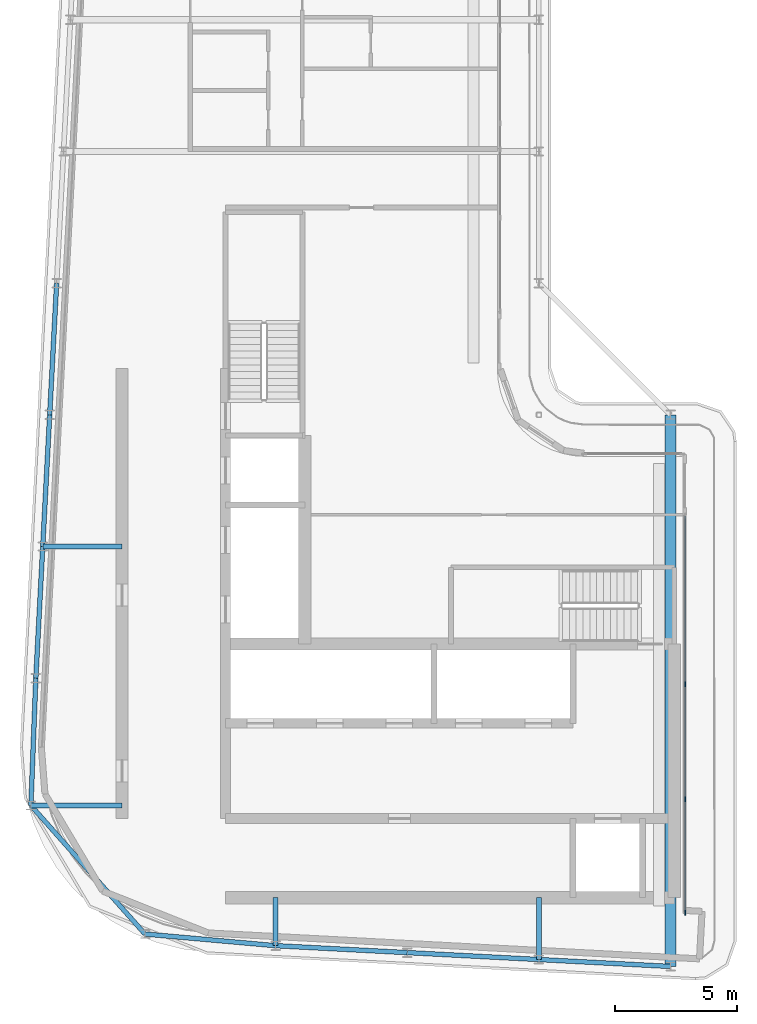
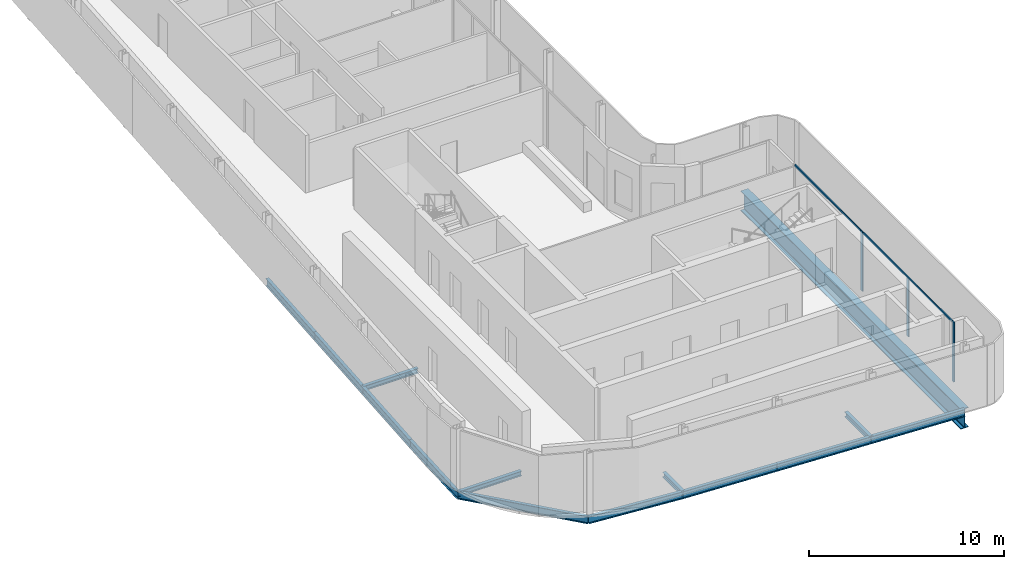
# One storey, part 4 of 18: 14 beams, 5 members, 2 elements without a shape of their own.
"""IFC4 building model written with IfcOpenShell, lengths in metres."""

import ifcopenshell
import ifcopenshell.guid

model = None  # the IFC model being written
_history = None  # IfcOwnerHistory: only IFC2X3 demands one
_inside = {}  # id of a spatial element -> (the spatial element, [elements in it])
_under = {}  # id of a project, library or spatial element -> (it, [spatial elements below it])
_declared = {}  # id of a project -> (the project, [libraries it declares])
_typed = {}  # id of a type object -> (the type object, [elements of that type])
_made_of = {}  # id of a material, layer set ... -> (it, [elements and type objects made of it])


def new_model(schema):
    """Start an empty IFC model of exactly this schema.

    Asked for "IFC4X3", IfcOpenShell would pick the latest addendum, in which some entities
    have other attributes; the version numbers below select the first issue.
    IFC2X3 requires an IfcOwnerHistory on every rooted entity: one is made here for all.
    """
    global model, _history
    if schema == "IFC4X3":
        model = ifcopenshell.file(schema_version=(4, 3, 0, 0))
    else:
        model = ifcopenshell.file(schema=schema)
    _inside.clear()
    _under.clear()
    _declared.clear()
    _typed.clear()
    _made_of.clear()
    _history = None
    if model.schema == "IFC2X3":
        org = make("IfcOrganization", Name="unknown")
        user = make(
            "IfcPersonAndOrganization",
            ThePerson=make("IfcPerson", FamilyName="unknown"),
            TheOrganization=org,
        )
        app = make(
            "IfcApplication",
            ApplicationDeveloper=org,
            Version="unknown",
            ApplicationFullName="unknown",
            ApplicationIdentifier="unknown",
        )
        _history = make(
            "IfcOwnerHistory",
            OwningUser=user,
            OwningApplication=app,
            ChangeAction="ADDED",
            CreationDate=0,
        )
    return model


def make(cls, **values):
    """One entity of the class cls with the attributes given. An attribute that is None is left unset."""
    return model.create_entity(
        cls, **{name: value for name, value in values.items() if value is not None}
    )


def rooted(cls, **values):
    """An entity with a GlobalId (a new one), such as an element, a storey or a relation."""
    return make(cls, GlobalId=ifcopenshell.guid.new(), OwnerHistory=_history, **values)


def si_unit(unit_type, name, prefix=None):
    """IfcSIUnit, for example si_unit("LENGTHUNIT", "METRE", prefix="MILLI")."""
    return make("IfcSIUnit", UnitType=unit_type, Prefix=prefix, Name=name)


def assignment(units):
    """IfcUnitAssignment: the units of a project."""
    return None if units is None else make("IfcUnitAssignment", Units=units)


def point(xyz):
    """IfcCartesianPoint."""
    return None if xyz is None else make("IfcCartesianPoint", Coordinates=xyz)


def direction(xyz):
    """IfcDirection."""
    return None if xyz is None else make("IfcDirection", DirectionRatios=xyz)


def frame(location, z_axis=None, x_axis=None):
    """IfcAxis2Placement3D, a coordinate frame: its origin and axes. An axis left out is left unset."""
    return make(
        "IfcAxis2Placement3D",
        Location=point(location),
        Axis=direction(z_axis),
        RefDirection=direction(x_axis),
    )


def frame_2d(location, x_axis=None):
    """IfcAxis2Placement2D, a coordinate frame in the plane: its origin and x axis."""
    return make(
        "IfcAxis2Placement2D", Location=point(location), RefDirection=direction(x_axis)
    )


def origin():
    """The frame at (0, 0, 0) with its axes left unset."""
    return frame((0.0, 0.0, 0.0))


def origin_2d():
    """The frame at (0, 0) in the plane with its x axis left unset."""
    return frame_2d((0.0, 0.0))


def place(relative_to, where):
    """IfcLocalPlacement: puts the frame where relative to a parent placement (None: the world)."""
    return make(
        "IfcLocalPlacement", PlacementRelTo=relative_to, RelativePlacement=where
    )


def context(
    kind, dimensions, precision=None, world=None, true_north=None, identifier=None
):
    """IfcGeometricRepresentationContext, for example the 3D "Model" context."""
    return make(
        "IfcGeometricRepresentationContext",
        ContextIdentifier=identifier,
        ContextType=kind,
        CoordinateSpaceDimension=dimensions,
        Precision=precision,
        WorldCoordinateSystem=world,
        TrueNorth=true_north,
    )


def subcontext(parent, identifier, kind, view, scale=None):
    """IfcGeometricRepresentationSubContext, for example "Body" below "Model"."""
    return make(
        "IfcGeometricRepresentationSubContext",
        ContextIdentifier=identifier,
        ContextType=kind,
        ParentContext=parent,
        TargetScale=scale,
        TargetView=view,
    )


def project(units=None, contexts=None):
    """IfcProject with its units and contexts."""
    return rooted(
        "IfcProject",
        Name="project",
        RepresentationContexts=contexts,
        UnitsInContext=assignment(units),
    )


def spatial(cls, under=None, at=None, **own):
    """A site, building, storey or space (cls), placed at a placement, below another one or the project."""
    s = rooted(cls, ObjectPlacement=at, **own)
    if under is not None:
        _under.setdefault(under.id(), (under, []))[1].append(s)
    return s


def profile(cls, at=None, kind="AREA", **sizes):
    """A parametric profile (cls). Its sizes go by their IFC names, for example OverallWidth=200.0."""
    return make(cls, ProfileType=kind, Position=at, **sizes)


def rectangle(**sizes):
    """IfcRectangleProfileDef."""
    return profile("IfcRectangleProfileDef", **sizes)


def i_section(**sizes):
    """IfcIShapeProfileDef."""
    return profile("IfcIShapeProfileDef", **sizes)


def extrude(swept, where, along, depth):
    """IfcExtrudedAreaSolid: the profile swept, set in the frame where, extruded along a direction by depth."""
    return make(
        "IfcExtrudedAreaSolid",
        SweptArea=swept,
        Position=where,
        ExtrudedDirection=direction(along),
        Depth=depth,
    )


def shape(context_of_items, identifier, shape_type, items):
    """IfcShapeRepresentation: the items that make up one representation, for example the "Body"."""
    return make(
        "IfcShapeRepresentation",
        ContextOfItems=context_of_items,
        RepresentationIdentifier=identifier,
        RepresentationType=shape_type,
        Items=items,
    )


def material(Name=None, Category=None):
    """IfcMaterial."""
    return make("IfcMaterial", Name=Name, Category=Category)


def layer(
    of_material, thickness, ventilated=None, Name=None, Category=None, Priority=None
):
    """IfcMaterialLayer: one layer of a wall or slab, of a material (None: an air gap)."""
    return make(
        "IfcMaterialLayer",
        Material=of_material,
        LayerThickness=thickness,
        IsVentilated=ventilated,
        Name=Name,
        Category=Category,
        Priority=Priority,
    )


def layer_set(layers, Name=None):
    """IfcMaterialLayerSet."""
    return make("IfcMaterialLayerSet", MaterialLayers=layers, LayerSetName=Name)


def material_profile(
    of_material, cross_section, Name=None, Category=None, Priority=None
):
    """IfcMaterialProfile: a cross section and its material."""
    return make(
        "IfcMaterialProfile",
        Name=Name,
        Material=of_material,
        Profile=cross_section,
        Priority=Priority,
        Category=Category,
    )


def profile_set(profiles, Name=None, composite=None):
    """IfcMaterialProfileSet."""
    return make(
        "IfcMaterialProfileSet",
        Name=Name,
        MaterialProfiles=profiles,
        CompositeProfile=composite,
    )


def made_of(thing, what):
    """Note that an element or type object is made of a material, layer set ...; save() writes the relation."""
    if what is not None:
        _made_of.setdefault(what.id(), (what, []))[1].append(thing)
    return thing


def type_object(cls, material=None, **own):
    """A type object (cls), such as IfcWallType, which elements share."""
    return made_of(rooted(cls, **own), material)


def element(
    cls,
    number,
    at=None,
    inside=None,
    cuts=None,
    type_object=None,
    material=None,
    context=None,
    identifier="Body",
    shape_type=None,
    held_by="IfcProductDefinitionShape",
    body=None,
    shapes=None,
    **own,
):
    """One element of the class cls, such as IfcWall. Its Tag is "e" and its number.

    at: its placement. inside: the storey or other place that contains it. cuts: it is an
    opening in that element (IfcRelVoidsElement). A single representation is given by context,
    identifier, shape_type and body (its items); several are given by shapes. held_by: the class
    of the entity that holds the representations. save() writes the other relations.
    """
    e = rooted(cls, Tag="e%d" % number, ObjectPlacement=at, **own)
    if body is not None:
        shapes = [shape(context, identifier, shape_type, body)]
    if shapes is not None:
        e.Representation = make(held_by, Representations=shapes)
    if inside is not None:
        _inside.setdefault(inside.id(), (inside, []))[1].append(e)
    if cuts is not None:
        rooted(
            "IfcRelVoidsElement", RelatingBuildingElement=cuts, RelatedOpeningElement=e
        )
    if type_object is not None:
        _typed.setdefault(type_object.id(), (type_object, []))[1].append(e)
    return made_of(e, material)


def aggregate(whole, parts):
    """IfcRelAggregates: a whole, such as a stair, and the parts it consists of."""
    return rooted("IfcRelAggregates", RelatingObject=whole, RelatedObjects=parts)


def save(model, path):
    """Write the relations noted so far, then the file.

    IfcRelAggregates (storeys below a building ...), IfcRelContainedInSpatialStructure (elements
    in a storey), IfcRelDefinesByType, IfcRelAssociatesMaterial and IfcRelDeclares: one each for
    every whole, place, type object, material and project.
    """
    for whole, parts in _under.values():
        aggregate(whole, parts)
    for where, things in _inside.values():
        rooted(
            "IfcRelContainedInSpatialStructure",
            RelatedElements=things,
            RelatingStructure=where,
        )
    for kind, things in _typed.values():
        rooted("IfcRelDefinesByType", RelatedObjects=things, RelatingType=kind)
    for what, things in _made_of.values():
        rooted("IfcRelAssociatesMaterial", RelatedObjects=things, RelatingMaterial=what)
    for by, libraries in _declared.values():
        rooted("IfcRelDeclares", RelatingContext=by, RelatedDefinitions=libraries)
    model.write(path)


model = new_model("IFC4")

# Units and contexts
model_context = context("Model", 3, precision=1e-05, world=origin(), true_north=direction((0.0, 1.0)))
body_context = subcontext(model_context, "Body", "Model", "MODEL_VIEW")
ifc_project = project(units=[si_unit("LENGTHUNIT", "METRE"), si_unit("AREAUNIT", "SQUARE_METRE"), si_unit("VOLUMEUNIT", "CUBIC_METRE"), si_unit("PLANEANGLEUNIT", "RADIAN"), si_unit("MASSUNIT", "GRAM", prefix="KILO")], contexts=[model_context])

# Site, building, storey
site_placement = place(None, origin())
site = spatial("IfcSite", under=ifc_project, at=site_placement, CompositionType="ELEMENT")
building_placement = place(site_placement, origin())
building = spatial("IfcBuilding", under=site, at=building_placement, Name="Kheshtan School and Residences Tower", CompositionType="ELEMENT")
storey_placement = place(building_placement, frame((0.0, 0.0, 377.300048828125)))
storey = spatial("IfcBuildingStorey", under=building, at=storey_placement, Name="L89", CompositionType="ELEMENT", Elevation=377.300048828125)

# Beams
ifc_material_1 = material(Name="Steel ASTM A992 Grade 50", Category="steel")
ifc_material_profile_1 = material_profile(ifc_material_1, i_section(OverallWidth=0.202880859375, OverallDepth=0.302978515625, WebThickness=0.007568359375, FlangeThickness=0.01318359375, FilletRadius=0.009033203125, at=origin_2d()), Name="W310x60")
ifc_profile_set_1 = profile_set([ifc_material_profile_1], Name="Steel ASTM A992 Grade 50")
beam_type_1 = type_object("IfcBeamType", Name="Beam FB1 W310x60 ASTM A992 Grade 50", PredefinedType="BEAM", material=ifc_profile_set_1)
beam_1_placement = place(storey_placement, frame((47.60009765625, 23.263916015625, -0.301513671875), z_axis=(0.0, 1.0, 0.0), x_axis=(-1.0, 0.0, 0.0)))
element("IfcBeam", 1, at=beam_1_placement, inside=storey, type_object=beam_type_1, Name="Floor beam C020", PredefinedType="BEAM", context=body_context, shape_type="SweptSolid", body=[
    extrude(i_section(OverallWidth=0.202880859375, OverallDepth=0.302978515625, WebThickness=0.007568359375, FlangeThickness=0.01318359375, FilletRadius=0.009033203125, at=origin_2d()), origin(), (0.0, 0.0, 1.0), 2.5361328125),
])
beam_2_placement = place(storey_placement, frame((36.800048828125, 23.83203125, -0.301513671875), z_axis=(0.0, 1.0, 0.0), x_axis=(-1.0, 0.0, 0.0)))
element("IfcBeam", 2, at=beam_2_placement, inside=storey, type_object=beam_type_1, Name="Floor beam C022", PredefinedType="BEAM", context=body_context, shape_type="SweptSolid", body=[
    extrude(i_section(OverallWidth=0.202880859375, OverallDepth=0.302978515625, WebThickness=0.007568359375, FlangeThickness=0.01318359375, FilletRadius=0.009033203125, at=origin_2d()), origin(), (0.0, 0.0, 1.0), 1.968017578125),
])
beam_3_placement = place(storey_placement, frame((26.76708984375, 29.58203125, -0.301513671875), z_axis=(1.0, 0.0, 0.0), x_axis=(0.0, 1.0, 0.0)))
element("IfcBeam", 3, at=beam_3_placement, inside=storey, type_object=beam_type_1, Name="Floor beam C048", PredefinedType="BEAM", context=body_context, shape_type="SweptSolid", body=[
    extrude(i_section(OverallWidth=0.202880859375, OverallDepth=0.302978515625, WebThickness=0.007568359375, FlangeThickness=0.01318359375, FilletRadius=0.009033203125, at=origin_2d()), origin(), (0.0, 0.0, 1.0), 3.73291015625),
])
beam_4_placement = place(storey_placement, frame((27.2529296875, 40.199951171875, -0.301513671875), z_axis=(1.0, 0.0, 0.0), x_axis=(0.0, 1.0, 0.0)))
element("IfcBeam", 4, at=beam_4_placement, inside=storey, type_object=beam_type_1, Name="Floor beam C056", PredefinedType="BEAM", context=body_context, shape_type="SweptSolid", body=[
    extrude(i_section(OverallWidth=0.202880859375, OverallDepth=0.302978515625, WebThickness=0.007568359375, FlangeThickness=0.01318359375, FilletRadius=0.009033203125, at=origin_2d()), origin(), (0.0, 0.0, 1.0), 3.2470703125),
])
ifc_material_profile_2 = material_profile(ifc_material_1, i_section(OverallWidth=0.18994140625, OverallDepth=0.45703125, WebThickness=0.009033203125, FlangeThickness=0.014404296875, FilletRadius=0.01318359375, at=origin_2d()), Name="W460x74")
ifc_profile_set_2 = profile_set([ifc_material_profile_2], Name="Steel ASTM A992 Grade 50")
beam_type_2 = type_object("IfcBeamType", Name="Beam SP4 W460x74 ASTM A992 Grade 50", PredefinedType="BEAM", material=ifc_profile_set_2)
beam_5_placement = place(storey_placement, frame((53.0, 22.97998046875, -0.378662109375), z_axis=(-0.998620447272, 0.05250906864, 0.0), x_axis=(-0.05250906864, -0.998620447272, 0.0)))
element("IfcBeam", 5, at=beam_5_placement, inside=storey, type_object=beam_type_2, Name="Spandrel beam C019-C020", PredefinedType="BEAM", context=body_context, shape_type="SweptSolid", body=[
    extrude(i_section(OverallWidth=0.18994140625, OverallDepth=0.45703125, WebThickness=0.009033203125, FlangeThickness=0.014404296875, FilletRadius=0.01318359375, at=origin_2d()), origin(), (0.0, 0.0, 1.0), 5.407470703125),
])
beam_6_placement = place(storey_placement, frame((47.60009765625, 23.263916015625, -0.378662109375), z_axis=(-0.998618203458, 0.052551724256, 0.0), x_axis=(-0.052551724256, -0.998618203458, 0.0)))
element("IfcBeam", 6, at=beam_6_placement, inside=storey, type_object=beam_type_2, Name="Spandrel beam C020-C021", PredefinedType="BEAM", context=body_context, shape_type="SweptSolid", body=[
    extrude(i_section(OverallWidth=0.18994140625, OverallDepth=0.45703125, WebThickness=0.009033203125, FlangeThickness=0.014404296875, FilletRadius=0.01318359375, at=origin_2d()), origin(), (0.0, 0.0, 1.0), 5.40771484375),
])
beam_7_placement = place(storey_placement, frame((42.199951171875, 23.548095703125, -0.378662109375), z_axis=(-0.998620447272, 0.05250906864, 0.0), x_axis=(-0.05250906864, -0.998620447272, 0.0)))
element("IfcBeam", 7, at=beam_7_placement, inside=storey, type_object=beam_type_2, Name="Spandrel beam C021-C022", PredefinedType="BEAM", context=body_context, shape_type="SweptSolid", body=[
    extrude(i_section(OverallWidth=0.18994140625, OverallDepth=0.45703125, WebThickness=0.009033203125, FlangeThickness=0.014404296875, FilletRadius=0.01318359375, at=origin_2d()), origin(), (0.0, 0.0, 1.0), 5.407470703125),
])
beam_8_placement = place(storey_placement, frame((36.800048828125, 23.83203125, -0.378662109375), z_axis=(-0.996036411806, 0.088946424077, 0.0), x_axis=(-0.088946424077, -0.996036411806, 0.0)))
element("IfcBeam", 8, at=beam_8_placement, inside=storey, type_object=beam_type_2, Name="Spandrel beam C022-C034", PredefinedType="BEAM", context=body_context, shape_type="SweptSolid", body=[
    extrude(i_section(OverallWidth=0.18994140625, OverallDepth=0.45703125, WebThickness=0.009033203125, FlangeThickness=0.014404296875, FilletRadius=0.01318359375, at=origin_2d()), origin(), (0.0, 0.0, 1.0), 5.374267578125),
])
beam_9_placement = place(storey_placement, frame((31.447021484375, 24.31005859375, -0.378662109375), z_axis=(-0.663867136248, 0.747850536812, 0.0), x_axis=(-0.747850536812, -0.663867136248, 0.0)))
element("IfcBeam", 9, at=beam_9_placement, inside=storey, type_object=beam_type_2, Name="Spandrel beam C034-C048", PredefinedType="BEAM", context=body_context, shape_type="SweptSolid", body=[
    extrude(i_section(OverallWidth=0.18994140625, OverallDepth=0.45703125, WebThickness=0.009033203125, FlangeThickness=0.014404296875, FilletRadius=0.01318359375, at=origin_2d()), origin(), (0.0, 0.0, 1.0), 7.049560546875),
])
beam_10_placement = place(storey_placement, frame((26.76708984375, 29.58203125, -0.378662109375), z_axis=(0.038664745323, 0.999252239161, 0.0), x_axis=(-0.999252239161, 0.038664745323, 0.0)))
element("IfcBeam", 10, at=beam_10_placement, inside=storey, type_object=beam_type_2, Name="Spandrel beam C048-C052", PredefinedType="BEAM", context=body_context, shape_type="SweptSolid", body=[
    extrude(i_section(OverallWidth=0.18994140625, OverallDepth=0.45703125, WebThickness=0.009033203125, FlangeThickness=0.014404296875, FilletRadius=0.01318359375, at=origin_2d()), origin(), (0.0, 0.0, 1.0), 5.221923828125),
])
beam_11_placement = place(storey_placement, frame((26.968994140625, 34.800048828125, -0.378662109375), z_axis=(0.05250906864, 0.998620447272, 0.0), x_axis=(-0.998620447272, 0.05250906864, 0.0)))
element("IfcBeam", 11, at=beam_11_placement, inside=storey, type_object=beam_type_2, Name="Spandrel beam C052-C056", PredefinedType="BEAM", context=body_context, shape_type="SweptSolid", body=[
    extrude(i_section(OverallWidth=0.18994140625, OverallDepth=0.45703125, WebThickness=0.009033203125, FlangeThickness=0.014404296875, FilletRadius=0.01318359375, at=origin_2d()), origin(), (0.0, 0.0, 1.0), 5.407470703125),
])
beam_12_placement = place(storey_placement, frame((27.2529296875, 40.199951171875, -0.378662109375), z_axis=(0.052551724256, 0.998618203458, 0.0), x_axis=(-0.998618203458, 0.052551724256, 0.0)))
element("IfcBeam", 12, at=beam_12_placement, inside=storey, type_object=beam_type_2, Name="Spandrel beam C056-C059", PredefinedType="BEAM", context=body_context, shape_type="SweptSolid", body=[
    extrude(i_section(OverallWidth=0.18994140625, OverallDepth=0.45703125, WebThickness=0.009033203125, FlangeThickness=0.014404296875, FilletRadius=0.01318359375, at=origin_2d()), origin(), (0.0, 0.0, 1.0), 5.40771484375),
])
beam_13_placement = place(storey_placement, frame((27.537109375, 45.60009765625, -0.378662109375), z_axis=(0.052689166816, 0.998610961136, 0.0), x_axis=(-0.998610961136, 0.052689166816, 0.0)))
element("IfcBeam", 13, at=beam_13_placement, inside=storey, type_object=beam_type_2, Name="Spandrel beam C059-C078", PredefinedType="BEAM", context=body_context, shape_type="SweptSolid", body=[
    extrude(i_section(OverallWidth=0.18994140625, OverallDepth=0.45703125, WebThickness=0.009033203125, FlangeThickness=0.014404296875, FilletRadius=0.01318359375, at=origin_2d()), origin(), (0.0, 0.0, 1.0), 5.407470703125),
])

# Curtain wall, member
ifc_material_2 = material(Name="Clear low-e glass in thermally broken aluminium frame", Category="aluminium")
ifc_layer = layer(ifc_material_2, 0.199951171875)
ifc_layer_set = layer_set([ifc_layer], Name="Curtain wall CW-L")
curtain_wall_type = type_object("IfcCurtainWallType", Name="Curtain wall CW-L", PredefinedType="NOTDEFINED", material=ifc_layer_set)
curtain_wall_1_placement = place(storey_placement, origin())
curtain_wall_1 = element("IfcCurtainWall", 14, at=curtain_wall_1_placement, inside=storey, type_object=curtain_wall_type, Name="Curtain wall CWL13h", PredefinedType="NOTDEFINED")
ifc_material_3 = material(Name="Thermally broken aluminium, dark bronze anodised", Category="aluminium")
ifc_material_profile_3 = material_profile(ifc_material_3, rectangle(XDim=0.06005859375, YDim=0.199951171875, at=origin_2d()), Name="CW-L mullion 60x200")
ifc_profile_set_3 = profile_set([ifc_material_profile_3], Name="Thermally broken aluminium, dark bronze anodised")
member_type_1 = type_object("IfcMemberType", Name="CW-L mullion 60x200", PredefinedType="MULLION", material=ifc_profile_set_3)
member_1_placement = place(storey_placement, frame((53.60009765625, 34.55810546875, 0.0), z_axis=(0.0, 0.0, 1.0), x_axis=(1.0, 0.0, 0.0)))
member_1 = element("IfcMember", 15, at=member_1_placement, type_object=member_type_1, Name="CWL13h mullion 2", PredefinedType="MULLION", context=body_context, shape_type="SweptSolid", body=[
    extrude(rectangle(XDim=0.06005859375, YDim=0.199951171875, at=origin_2d()), origin(), (0.0, 0.0, 1.0), 3.75),
])

# Curtain wall, members
curtain_wall_2_placement = place(storey_placement, origin())
curtain_wall_2 = element("IfcCurtainWall", 16, at=curtain_wall_2_placement, inside=storey, type_object=curtain_wall_type, Name="Curtain wall CWL13i", PredefinedType="NOTDEFINED")
member_2_placement = place(storey_placement, frame((53.60009765625, 29.842041015625, 0.0), z_axis=(0.0, 0.0, 1.0), x_axis=(1.0, 0.0, 0.0)))
member_2 = element("IfcMember", 17, at=member_2_placement, type_object=member_type_1, Name="CWL13i mullion 2", PredefinedType="MULLION", context=body_context, shape_type="SweptSolid", body=[
    extrude(rectangle(XDim=0.06005859375, YDim=0.199951171875, at=origin_2d()), origin(), (0.0, 0.0, 1.0), 3.6298828125),
])
member_3_placement = place(storey_placement, frame((53.60009765625, 25.18603515625, 0.0), z_axis=(0.0, 0.0, 1.0), x_axis=(1.0, 0.0, 0.0)))
member_3 = element("IfcMember", 18, at=member_3_placement, type_object=member_type_1, Name="CWL13i mullion 3", PredefinedType="MULLION", context=body_context, shape_type="SweptSolid", body=[
    extrude(rectangle(XDim=0.06005859375, YDim=0.199951171875, at=origin_2d()), origin(), (0.0, 0.0, 1.0), 3.75),
])

# Member
ifc_material_profile_4 = material_profile(ifc_material_3, rectangle(XDim=0.06005859375, YDim=0.1201171875, at=origin_2d()), Name="CW-L transom 60x120")
ifc_profile_set_4 = profile_set([ifc_material_profile_4], Name="Thermally broken aluminium, dark bronze anodised")
member_type_2 = type_object("IfcMemberType", Name="CW-L transom 60x120", PredefinedType="USERDEFINED", material=ifc_profile_set_4)
member_4_placement = place(storey_placement, frame((53.60009765625, 41.43994140625, 3.68994140625), z_axis=(0.0, -1.0, 0.0), x_axis=(1.0, 0.0, 0.0)))
member_4 = element("IfcMember", 19, at=member_4_placement, type_object=member_type_2, Name="CWL13h transom 1", ObjectType="TRANSOM", PredefinedType="USERDEFINED", context=body_context, shape_type="SweptSolid", body=[
    extrude(rectangle(XDim=0.06005859375, YDim=0.1201171875, at=origin_2d()), origin(), (0.0, 0.0, 1.0), 6.85205078125),
])

aggregate(curtain_wall_1, [member_1, member_4])

member_5_placement = place(storey_placement, frame((53.60009765625, 34.528076171875, 3.68994140625), z_axis=(0.0, -1.0, 0.0), x_axis=(1.0, 0.0, 0.0)))
member_5 = element("IfcMember", 20, at=member_5_placement, type_object=member_type_2, Name="CWL13i transom 1", ObjectType="TRANSOM", PredefinedType="USERDEFINED", context=body_context, shape_type="SweptSolid", body=[
    extrude(rectangle(XDim=0.06005859375, YDim=0.1201171875, at=origin_2d()), origin(), (0.0, 0.0, 1.0), 9.31201171875),
])

aggregate(curtain_wall_2, [member_2, member_3, member_5])

# Beam
ifc_material_profile_5 = material_profile(ifc_material_1, i_section(OverallWidth=0.449951171875, OverallDepth=1.25, WebThickness=0.02490234375, FlangeThickness=0.044921875, FilletRadius=0.03759765625, at=origin_2d()), Name="WWF1250x546")
ifc_profile_set_5 = profile_set([ifc_material_profile_5], Name="Steel ASTM A992 Grade 50")
beam_type_3 = type_object("IfcBeamType", Name="Transfer girder TG4 WWF1250x546 ASTM A992 Grade 50", PredefinedType="BEAM", material=ifc_profile_set_5)
beam_14_placement = place(storey_placement, frame((53.0, 45.60009765625, -0.775146484375), z_axis=(0.0, -1.0, 0.0), x_axis=(1.0, 0.0, 0.0)))
element("IfcBeam", 21, at=beam_14_placement, inside=storey, type_object=beam_type_3, Name="Transfer girder C061-C019", PredefinedType="BEAM", context=body_context, shape_type="SweptSolid", body=[
    extrude(i_section(OverallWidth=0.449951171875, OverallDepth=1.25, WebThickness=0.02490234375, FlangeThickness=0.044921875, FilletRadius=0.03759765625, at=origin_2d()), origin(), (0.0, 0.0, 1.0), 22.6201171875),
])

save(model, "model.ifc")
